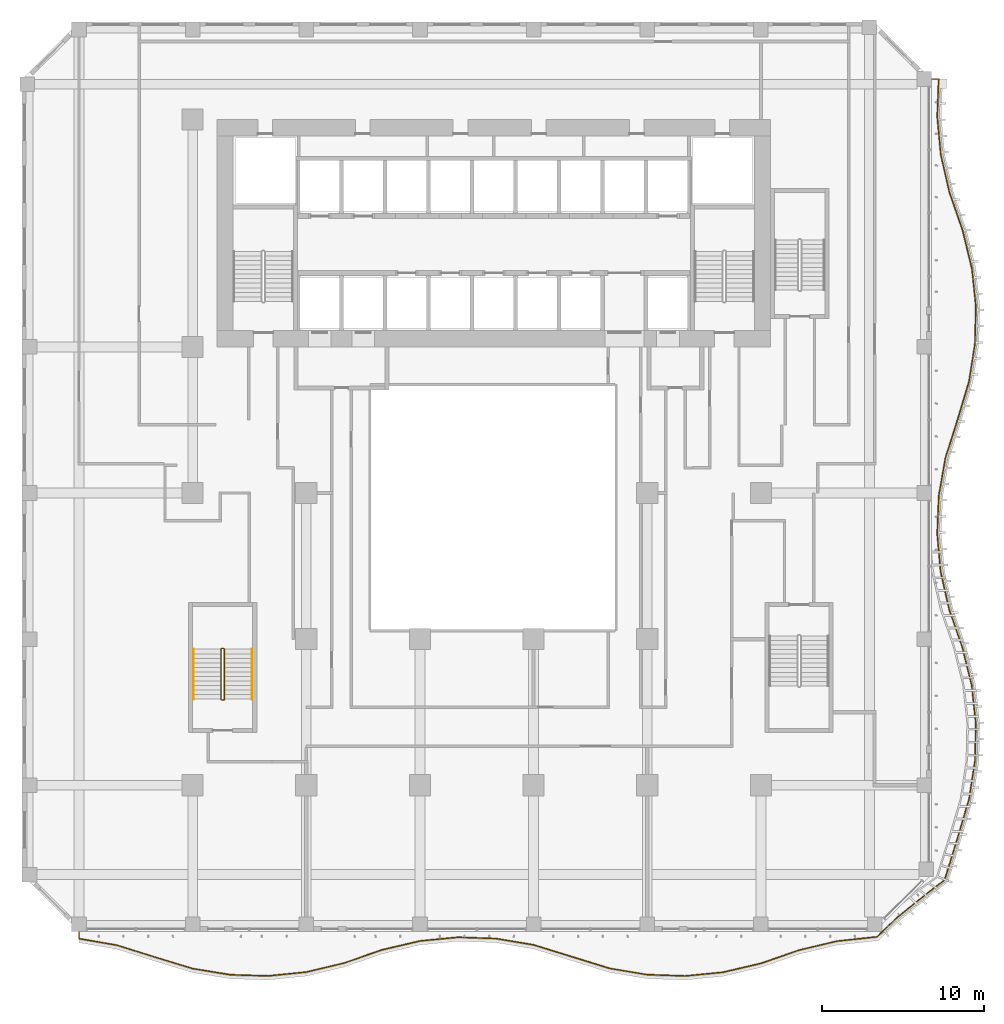
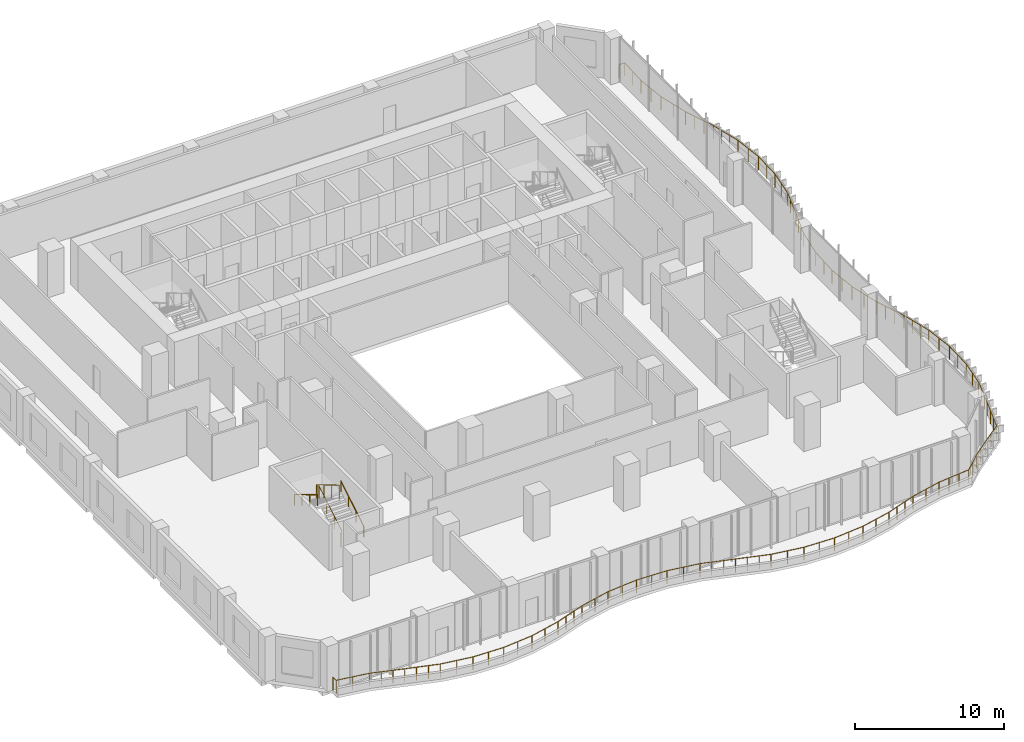
# One storey, part 20 of 27: 4 railings.
"""IFC4 building model written with IfcOpenShell, lengths in metres."""

from ifc_helpers import new_model, si_unit, direction, frame, origin, origin_2d, place, context, subcontext, project, spatial, circle, extrude, material, type_object, element, save


model = new_model("IFC4")

# Units and contexts
model_context = context("Model", 3, precision=1e-05, world=origin(), true_north=direction((0.0, 1.0)))
body_context = subcontext(model_context, "Body", "Model", "MODEL_VIEW")
ifc_project = project(units=[si_unit("LENGTHUNIT", "METRE"), si_unit("AREAUNIT", "SQUARE_METRE"), si_unit("VOLUMEUNIT", "CUBIC_METRE"), si_unit("PLANEANGLEUNIT", "RADIAN"), si_unit("MASSUNIT", "GRAM", prefix="KILO")], contexts=[model_context])

# Site, building, storey
site_placement = place(None, origin())
site = spatial("IfcSite", under=ifc_project, at=site_placement, CompositionType="ELEMENT")
building_placement = place(site_placement, origin())
building = spatial("IfcBuilding", under=site, at=building_placement, Name="Kilnfold Tower and Market Hall", CompositionType="ELEMENT")
storey_placement = place(building_placement, frame((0.0, 0.0, 43.0)))
storey = spatial("IfcBuildingStorey", under=building, at=storey_placement, Name="L09", CompositionType="ELEMENT", Elevation=43.0)

# Railings
ifc_material_1 = material(Name="Stainless steel 316", Category="steel")
railing_type_1 = type_object("IfcRailingType", Name="CORE STAIR GUARD 1100", PredefinedType="GUARDRAIL", material=ifc_material_1)
railing_1_placement = place(storey_placement, frame((-15.699951171875, -13.75, 0.0)))
element("IfcRailing", 1, at=railing_1_placement, inside=storey, type_object=railing_type_1, Name="L09 ST3 stair guard 1", PredefinedType="GUARDRAIL", context=body_context, shape_type="SweptSolid", body=[
    extrude(circle(Radius=0.02392578125, at=origin_2d()), frame((0.0, 0.0, 1.076171875), z_axis=(1.0, 0.0, 0.0), x_axis=(0.0, 1.0, 0.0)), (0.0, 0.0, 1.0), 0.099853515625),
    extrude(circle(Radius=0.02392578125, at=origin_2d()), frame((0.099853515625, 0.0, 1.076171875), z_axis=(0.27628659633, 0.27628659633, 0.920506074601), x_axis=(-0.707106781187, 0.707106781187, 0.0)), (0.0, 0.0, 1.0), 0.18115234375),
    extrude(circle(Radius=0.02392578125, at=origin_2d()), frame((0.14990234375, 0.050048828125, 1.24267578125), z_axis=(0.0, 0.859290745958, 0.51148745235), x_axis=(-1.0, 0.0, 0.0)), (0.0, 0.0, 1.0), 3.584228515625),
    extrude(circle(Radius=0.02392578125, at=origin_2d()), frame((0.14990234375, 3.1298828125, 3.076171875), z_axis=(-0.707106781187, 0.707106781187, 0.0), x_axis=(-0.707106781187, -0.707106781187, 0.0)), (0.0, 0.0, 1.0), 0.07080078125),
    extrude(circle(Radius=0.02392578125, at=origin_2d()), frame((0.099853515625, 3.179931640625, 3.076171875), z_axis=(-1.0, 0.0, 0.0), x_axis=(0.0, -1.0, 0.0)), (0.0, 0.0, 1.0), 0.099853515625),
    extrude(circle(Radius=0.02392578125, at=origin_2d()), frame((0.0, 3.179931640625, 3.076171875), z_axis=(-0.27628659633, -0.27628659633, 0.920506074601), x_axis=(0.707106781187, -0.707106781187, 0.0)), (0.0, 0.0, 1.0), 0.18115234375),
    extrude(circle(Radius=0.02392578125, at=origin_2d()), frame((-0.050048828125, 3.1298828125, 3.24267578125), z_axis=(0.0, -0.859290745958, 0.51148745235), x_axis=(1.0, 0.0, 0.0)), (0.0, 0.0, 1.0), 3.584228515625),
    extrude(circle(Radius=0.02099609375, at=origin_2d()), origin(), (0.0, 0.0, 1.0), 1.052001953125),
    extrude(circle(Radius=0.02099609375, at=origin_2d()), frame((0.099853515625, 0.0, 0.0)), (0.0, 0.0, 1.0), 1.052001953125),
    extrude(circle(Radius=0.02099609375, at=origin_2d()), frame((0.14990234375, 0.050048828125, 0.166748046875)), (0.0, 0.0, 1.0), 1.052001953125),
    extrude(circle(Radius=0.02099609375, at=origin_2d()), frame((0.14990234375, 1.07666015625, 0.77783203125)), (0.0, 0.0, 1.0), 1.052001953125),
    extrude(circle(Radius=0.02099609375, at=origin_2d()), frame((0.14990234375, 2.103271484375, 1.388916015625)), (0.0, 0.0, 1.0), 1.052001953125),
    extrude(circle(Radius=0.02099609375, at=origin_2d()), frame((0.14990234375, 3.1298828125, 2.0)), (0.0, 0.0, 1.0), 1.052001953125),
    extrude(circle(Radius=0.02099609375, at=origin_2d()), frame((0.099853515625, 3.179931640625, 2.0)), (0.0, 0.0, 1.0), 1.052001953125),
    extrude(circle(Radius=0.02099609375, at=origin_2d()), frame((0.0, 3.179931640625, 2.0)), (0.0, 0.0, 1.0), 1.052001953125),
    extrude(circle(Radius=0.02099609375, at=origin_2d()), frame((-0.050048828125, 3.1298828125, 2.166748046875)), (0.0, 0.0, 1.0), 1.052001953125),
    extrude(circle(Radius=0.02099609375, at=origin_2d()), frame((-0.050048828125, 2.103271484375, 2.77783203125)), (0.0, 0.0, 1.0), 1.052001953125),
    extrude(circle(Radius=0.02099609375, at=origin_2d()), frame((-0.050048828125, 1.07666015625, 3.388916015625)), (0.0, 0.0, 1.0), 1.052001953125),
    extrude(circle(Radius=0.02099609375, at=origin_2d()), frame((-0.050048828125, 0.050048828125, 4.0)), (0.0, 0.0, 1.0), 1.052001953125),
])
ifc_material_2 = material(Name="Stainless steel 316", Category="steel")
railing_type_2 = type_object("IfcRailingType", Name="CORE STAIR HANDRAIL 900", PredefinedType="HANDRAIL", material=ifc_material_2)
railing_2_placement = place(storey_placement, frame((-13.85009765625, -13.699951171875, 0.166748046875)))
element("IfcRailing", 2, at=railing_2_placement, inside=storey, type_object=railing_type_2, Name="L09 ST3 stair handrail 1", PredefinedType="HANDRAIL", context=body_context, shape_type="SweptSolid", body=[
    extrude(circle(Radius=0.02392578125, at=origin_2d()), frame((0.0, 0.0, 0.8759765625), z_axis=(0.0, 0.859290745958, 0.51148745235), x_axis=(-1.0, 0.0, 0.0)), (0.0, 0.0, 1.0), 3.584228515625),
    extrude(circle(Radius=0.02099609375, at=origin_2d()), origin(), (0.0, 0.0, 1.0), 0.851806640625),
    extrude(circle(Radius=0.02099609375, at=origin_2d()), frame((0.0, 1.026611328125, 0.611083984375)), (0.0, 0.0, 1.0), 0.851806640625),
    extrude(circle(Radius=0.02099609375, at=origin_2d()), frame((0.0, 2.05322265625, 1.22216796875)), (0.0, 0.0, 1.0), 0.851806640625),
    extrude(circle(Radius=0.02099609375, at=origin_2d()), frame((0.0, 3.079833984375, 1.833251953125)), (0.0, 0.0, 1.0), 0.851806640625),
])
railing_3_placement = place(storey_placement, frame((-17.449951171875, -10.6201171875, 2.166748046875)))
element("IfcRailing", 3, at=railing_3_placement, inside=storey, type_object=railing_type_2, Name="L09 ST3 stair handrail 2", PredefinedType="HANDRAIL", context=body_context, shape_type="SweptSolid", body=[
    extrude(circle(Radius=0.02392578125, at=origin_2d()), frame((0.0, 0.0, 0.8759765625), z_axis=(0.0, -0.859290745958, 0.51148745235), x_axis=(1.0, 0.0, 0.0)), (0.0, 0.0, 1.0), 3.584228515625),
    extrude(circle(Radius=0.02099609375, at=origin_2d()), origin(), (0.0, 0.0, 1.0), 0.851806640625),
    extrude(circle(Radius=0.02099609375, at=origin_2d()), frame((0.0, -1.026611328125, 0.611083984375)), (0.0, 0.0, 1.0), 0.851806640625),
    extrude(circle(Radius=0.02099609375, at=origin_2d()), frame((0.0, -2.05322265625, 1.22216796875)), (0.0, 0.0, 1.0), 0.851806640625),
    extrude(circle(Radius=0.02099609375, at=origin_2d()), frame((0.0, -3.079833984375, 1.833251953125)), (0.0, 0.0, 1.0), 0.851806640625),
])
ifc_material_3 = material(Name="Stainless steel and laminated glass", Category="steel")
railing_type_3 = type_object("IfcRailingType", Name="GUARD 1100", PredefinedType="GUARDRAIL", material=ifc_material_3)
railing_4_placement = place(storey_placement, frame((-24.5, -28.0, 0.0)))
element("IfcRailing", 4, at=railing_4_placement, inside=storey, type_object=railing_type_3, Name="Guard balcony L09", PredefinedType="GUARDRAIL", context=body_context, shape_type="SweptSolid", body=[
    extrude(circle(Radius=0.02490234375, at=origin_2d()), frame((0.0, 0.0, 1.0751953125), z_axis=(0.0, -1.0, 0.0), x_axis=(1.0, 0.0, 0.0)), (0.0, 0.0, 1.0), 0.44482421875),
    extrude(circle(Radius=0.02490234375, at=origin_2d()), frame((0.0, -0.44482421875, 1.0751953125), z_axis=(0.985662466739, -0.168729077701, 0.0), x_axis=(0.168729077701, 0.985662466739, 0.0)), (0.0, 0.0, 1.0), 2.3671875),
    extrude(circle(Radius=0.02490234375, at=origin_2d()), frame((2.333251953125, -0.84423828125, 1.0751953125), z_axis=(0.954049170843, -0.299650095299, 0.0), x_axis=(0.299650095299, 0.954049170843, 0.0)), (0.0, 0.0, 1.0), 2.44580078125),
    extrude(circle(Radius=0.02490234375, at=origin_2d()), frame((4.666748046875, -1.5771484375, 1.0751953125), z_axis=(0.956468807758, -0.291834576062, 0.0), x_axis=(0.291834576062, 0.956468807758, 0.0)), (0.0, 0.0, 1.0), 2.439453125),
    extrude(circle(Radius=0.02490234375, at=origin_2d()), frame((7.0, -2.2890625, 1.0751953125), z_axis=(0.986987456503, -0.160797265855, 0.0), x_axis=(0.160797265855, 0.986987456503, 0.0)), (0.0, 0.0, 1.0), 2.364013671875),
    extrude(circle(Radius=0.02490234375, at=origin_2d()), frame((9.333251953125, -2.669189453125, 1.0751953125), z_axis=(0.999555741048, -0.029804706654, 0.0), x_axis=(0.029804706654, 0.999555741048, 0.0)), (0.0, 0.0, 1.0), 2.33447265625),
    extrude(circle(Radius=0.02490234375, at=origin_2d()), frame((11.666748046875, -2.73876953125, 1.0751953125), z_axis=(0.994857287477, 0.101286610936, 0.0), x_axis=(-0.101286610936, 0.994857287477, 0.0)), (0.0, 0.0, 1.0), 2.34521484375),
    extrude(circle(Radius=0.02490234375, at=origin_2d()), frame((14.0, -2.501220703125, 1.0751953125), z_axis=(0.972656408, 0.232248814801, 0.0), x_axis=(-0.232248814801, 0.972656408, 0.0)), (0.0, 0.0, 1.0), 2.39892578125),
    extrude(circle(Radius=0.02490234375, at=origin_2d()), frame((16.333251953125, -1.944091796875, 1.0751953125), z_axis=(0.944696631746, 0.327945535063, 0.0), x_axis=(-0.327945535063, 0.944696631746, 0.0)), (0.0, 0.0, 1.0), 2.47021484375),
    extrude(circle(Radius=0.02490234375, at=origin_2d()), frame((18.666748046875, -1.134033203125, 1.0751953125), z_axis=(0.973591903786, 0.228295433335, 0.0), x_axis=(-0.228295433335, 0.973591903786, 0.0)), (0.0, 0.0, 1.0), 2.396484375),
    extrude(circle(Radius=0.02490234375, at=origin_2d()), frame((21.0, -0.5869140625, 1.0751953125), z_axis=(0.995258419276, 0.097266021095, 0.0), x_axis=(-0.097266021095, 0.995258419276, 0.0)), (0.0, 0.0, 1.0), 2.344482421875),
    extrude(circle(Radius=0.02490234375, at=origin_2d()), frame((23.333251953125, -0.35888671875, 1.0751953125), z_axis=(0.99942948218, -0.033774400789, 0.0), x_axis=(0.033774400789, 0.99942948218, 0.0)), (0.0, 0.0, 1.0), 2.334716796875),
    extrude(circle(Radius=0.02490234375, at=origin_2d()), frame((25.666748046875, -0.437744140625, 1.0751953125), z_axis=(0.986340874841, -0.164716965182, 0.0), x_axis=(0.164716965182, 0.986340874841, 0.0)), (0.0, 0.0, 1.0), 2.365478515625),
    extrude(circle(Radius=0.02490234375, at=origin_2d()), frame((28.0, -0.827392578125, 1.0751953125), z_axis=(0.955232771409, -0.29585528967, 0.0), x_axis=(0.29585528967, 0.955232771409, 0.0)), (0.0, 0.0, 1.0), 2.442626953125),
    extrude(circle(Radius=0.02490234375, at=origin_2d()), frame((30.333251953125, -1.550048828125, 1.0751953125), z_axis=(0.95526975751, -0.295735845624, 0.0), x_axis=(0.295735845624, 0.95526975751, 0.0)), (0.0, 0.0, 1.0), 2.44287109375),
    extrude(circle(Radius=0.02490234375, at=origin_2d()), frame((32.666748046875, -2.2724609375, 1.0751953125), z_axis=(0.986324102419, -0.164817368585, 0.0), x_axis=(0.164817368585, 0.986324102419, 0.0)), (0.0, 0.0, 1.0), 2.36572265625),
    extrude(circle(Radius=0.02490234375, at=origin_2d()), frame((35.0, -2.662353515625, 1.0751953125), z_axis=(0.99943288777, -0.033673473879, 0.0), x_axis=(0.033673473879, 0.99943288777, 0.0)), (0.0, 0.0, 1.0), 2.33447265625),
    extrude(circle(Radius=0.02490234375, at=origin_2d()), frame((37.333251953125, -2.740966796875, 1.0751953125), z_axis=(0.995259404351, 0.097255940957, 0.0), x_axis=(-0.097255940957, 0.995259404351, 0.0)), (0.0, 0.0, 1.0), 2.3447265625),
    extrude(circle(Radius=0.02490234375, at=origin_2d()), frame((39.666748046875, -2.512939453125, 1.0751953125), z_axis=(0.973614542293, 0.228198867295, 0.0), x_axis=(-0.228198867295, 0.973614542293, 0.0)), (0.0, 0.0, 1.0), 2.396484375),
    extrude(circle(Radius=0.02490234375, at=origin_2d()), frame((42.0, -1.966064453125, 1.0751953125), z_axis=(0.944686000367, 0.327976158754, 0.0), x_axis=(-0.327976158754, 0.944686000367, 0.0)), (0.0, 0.0, 1.0), 2.469970703125),
    extrude(circle(Radius=0.02490234375, at=origin_2d()), frame((44.333251953125, -1.156005859375, 1.0751953125), z_axis=(0.972661896838, 0.232225826385, 0.0), x_axis=(-0.232225826385, 0.972661896838, 0.0)), (0.0, 0.0, 1.0), 2.399169921875),
    extrude(circle(Radius=0.02490234375, at=origin_2d()), frame((46.666748046875, -0.598876953125, 1.0751953125), z_axis=(0.994294653047, 0.106668378268, 0.0), x_axis=(-0.106668378268, 0.994294653047, 0.0)), (0.0, 0.0, 1.0), 2.485595703125),
    extrude(circle(Radius=0.02490234375, at=origin_2d()), frame((49.13818359375, -0.333740234375, 1.0751953125), z_axis=(0.724692692066, 0.689072203812, 0.0), x_axis=(-0.689072203812, 0.724692692066, 0.0)), (0.0, 0.0, 1.0), 1.788818359375),
    extrude(circle(Radius=0.02490234375, at=origin_2d()), frame((50.4345703125, 0.89892578125, 1.0751953125), z_axis=(0.776267052284, 0.630404206472, 0.0), x_axis=(-0.630404206472, 0.776267052284, 0.0)), (0.0, 0.0, 1.0), 1.65869140625),
    extrude(circle(Radius=0.02490234375, at=origin_2d()), frame((51.72216796875, 1.944580078125, 1.0751953125), z_axis=(0.793520057084, 0.608544097831, 0.0), x_axis=(-0.608544097831, 0.793520057084, 0.0)), (0.0, 0.0, 1.0), 2.00341796875),
    extrude(circle(Radius=0.02490234375, at=origin_2d()), frame((53.31201171875, 3.163818359375, 1.0751953125), z_axis=(0.29318249773, 0.956056495729, 0.0), x_axis=(-0.956056495729, 0.29318249773, 0.0)), (0.0, 0.0, 1.0), 2.792236328125),
    extrude(circle(Radius=0.02490234375, at=origin_2d()), frame((54.130615234375, 5.833251953125, 1.0751953125), z_axis=(0.283811640994, 0.95888005112, 0.0), x_axis=(-0.95888005112, 0.283811640994, 0.0)), (0.0, 0.0, 1.0), 2.43359375),
    extrude(circle(Radius=0.02490234375, at=origin_2d()), frame((54.8212890625, 8.166748046875, 1.0751953125), z_axis=(0.152834177123, 0.988251847609, 0.0), x_axis=(-0.988251847609, 0.152834177123, 0.0)), (0.0, 0.0, 1.0), 2.361083984375),
    extrude(circle(Radius=0.02490234375, at=origin_2d()), frame((55.18212890625, 10.5, 1.0751953125), z_axis=(0.021758999158, 0.999763244951, 0.0), x_axis=(-0.999763244951, 0.021758999158, 0.0)), (0.0, 0.0, 1.0), 2.333740234375),
    extrude(circle(Radius=0.02490234375, at=origin_2d()), frame((55.23291015625, 12.833251953125, 1.0751953125), z_axis=(-0.109095915219, 0.994031227519, 0.0), x_axis=(-0.994031227519, -0.109095915219, 0.0)), (0.0, 0.0, 1.0), 2.347412109375),
    extrude(circle(Radius=0.02490234375, at=origin_2d()), frame((54.976806640625, 15.166748046875, 1.0751953125), z_axis=(-0.240216711375, 0.970719285672, 0.0), x_axis=(-0.970719285672, -0.240216711375, 0.0)), (0.0, 0.0, 1.0), 2.403564453125),
    extrude(circle(Radius=0.02490234375, at=origin_2d()), frame((54.3994140625, 17.5, 1.0751953125), z_axis=(-0.327270166885, 0.944930811153, 0.0), x_axis=(-0.944930811153, -0.327270166885, 0.0)), (0.0, 0.0, 1.0), 2.46923828125),
    extrude(circle(Radius=0.02490234375, at=origin_2d()), frame((53.59130859375, 19.833251953125, 1.0751953125), z_axis=(-0.220332914349, 0.975424731517, 0.0), x_axis=(-0.975424731517, -0.220332914349, 0.0)), (0.0, 0.0, 1.0), 2.392333984375),
    extrude(circle(Radius=0.02490234375, at=origin_2d()), frame((53.064208984375, 22.166748046875, 1.0751953125), z_axis=(-0.089314116006, 0.996003508368, 0.0), x_axis=(-0.996003508368, -0.089314116006, 0.0)), (0.0, 0.0, 1.0), 2.342529296875),
    extrude(circle(Radius=0.02490234375, at=origin_2d()), frame((52.85498046875, 24.5, 1.0751953125), z_axis=(0.041713165348, 0.999129627144, 0.0), x_axis=(-0.999129627144, 0.041713165348, 0.0)), (0.0, 0.0, 1.0), 2.335205078125),
    extrude(circle(Radius=0.02490234375, at=origin_2d()), frame((52.952392578125, 26.833251953125, 1.0751953125), z_axis=(0.172715287919, 0.984971791129, 0.0), x_axis=(-0.984971791129, 0.172715287919, 0.0)), (0.0, 0.0, 1.0), 2.369140625),
    extrude(circle(Radius=0.02490234375, at=origin_2d()), frame((53.361572265625, 29.166748046875, 1.0751953125), z_axis=(0.303216003995, 0.952921851424, 0.0), x_axis=(-0.952921851424, 0.303216003995, 0.0)), (0.0, 0.0, 1.0), 2.448486328125),
    extrude(circle(Radius=0.02490234375, at=origin_2d()), frame((54.10400390625, 31.5, 1.0751953125), z_axis=(0.287890235925, 0.957663412718, 0.0), x_axis=(-0.957663412718, 0.287890235925, 0.0)), (0.0, 0.0, 1.0), 2.436279296875),
    extrude(circle(Radius=0.02490234375, at=origin_2d()), frame((54.805419921875, 33.833251953125, 1.0751953125), z_axis=(0.156753145392, 0.987637813882, 0.0), x_axis=(-0.987637813882, 0.156753145392, 0.0)), (0.0, 0.0, 1.0), 2.36279296875),
    extrude(circle(Radius=0.02490234375, at=origin_2d()), frame((55.17578125, 36.166748046875, 1.0751953125), z_axis=(0.025836303044, 0.999666187007, 0.0), x_axis=(-0.999666187007, 0.025836303044, 0.0)), (0.0, 0.0, 1.0), 2.333984375),
    extrude(circle(Radius=0.02490234375, at=origin_2d()), frame((55.236083984375, 38.5, 1.0751953125), z_axis=(-0.105199342578, 0.994451154316, 0.0), x_axis=(-0.994451154316, -0.105199342578, 0.0)), (0.0, 0.0, 1.0), 2.34619140625),
    extrude(circle(Radius=0.02490234375, at=origin_2d()), frame((54.9892578125, 40.833251953125, 1.0751953125), z_axis=(-0.236263377293, 0.971689053427, 0.0), x_axis=(-0.971689053427, -0.236263377293, 0.0)), (0.0, 0.0, 1.0), 2.4013671875),
    extrude(circle(Radius=0.02490234375, at=origin_2d()), frame((54.421875, 43.166748046875, 1.0751953125), z_axis=(-0.327711476118, 0.94477785136, 0.0), x_axis=(-0.94477785136, -0.327711476118, 0.0)), (0.0, 0.0, 1.0), 2.4697265625),
    extrude(circle(Radius=0.02490234375, at=origin_2d()), frame((53.612548828125, 45.5, 1.0751953125), z_axis=(-0.224330726757, 0.974513070735, 0.0), x_axis=(-0.974513070735, -0.224330726757, 0.0)), (0.0, 0.0, 1.0), 2.394287109375),
    extrude(circle(Radius=0.02490234375, at=origin_2d()), frame((53.075439453125, 47.833251953125, 1.0751953125), z_axis=(-0.093230993166, 0.995644505792, 0.0), x_axis=(-0.995644505792, -0.093230993166, 0.0)), (0.0, 0.0, 1.0), 2.34375),
    extrude(circle(Radius=0.02490234375, at=origin_2d()), frame((52.85693359375, 50.166748046875, 1.0751953125), z_axis=(0.037642028208, 0.99929128772, 0.0), x_axis=(-0.99929128772, 0.037642028208, 0.0)), (0.0, 0.0, 1.0), 2.3349609375),
    extrude(circle(Radius=0.02490234375, at=origin_2d()), frame((52.94482421875, 52.5, 1.0751953125), z_axis=(-1.0, 0.0, 0.0), x_axis=(0.0, -1.0, 0.0)), (0.0, 0.0, 1.0), 0.44482421875),
    extrude(circle(Radius=0.02490234375, at=origin_2d()), origin(), (0.0, 0.0, 1.0), 1.050048828125),
    extrude(circle(Radius=0.02490234375, at=origin_2d()), frame((0.0, -0.44482421875, 0.0)), (0.0, 0.0, 1.0), 1.050048828125),
    extrude(circle(Radius=0.02490234375, at=origin_2d()), frame((1.16650390625, -0.64453125, 0.0)), (0.0, 0.0, 1.0), 1.050048828125),
    extrude(circle(Radius=0.02490234375, at=origin_2d()), frame((2.333251953125, -0.84423828125, 0.0)), (0.0, 0.0, 1.0), 1.050048828125),
    extrude(circle(Radius=0.02490234375, at=origin_2d()), frame((3.111083984375, -1.088623046875, 0.0)), (0.0, 0.0, 1.0), 1.050048828125),
    extrude(circle(Radius=0.02490234375, at=origin_2d()), frame((3.888916015625, -1.332763671875, 0.0)), (0.0, 0.0, 1.0), 1.050048828125),
    extrude(circle(Radius=0.02490234375, at=origin_2d()), frame((4.666748046875, -1.5771484375, 0.0)), (0.0, 0.0, 1.0), 1.050048828125),
    extrude(circle(Radius=0.02490234375, at=origin_2d()), frame((5.444580078125, -1.814453125, 0.0)), (0.0, 0.0, 1.0), 1.050048828125),
    extrude(circle(Radius=0.02490234375, at=origin_2d()), frame((6.22216796875, -2.0517578125, 0.0)), (0.0, 0.0, 1.0), 1.050048828125),
    extrude(circle(Radius=0.02490234375, at=origin_2d()), frame((7.0, -2.2890625, 0.0)), (0.0, 0.0, 1.0), 1.050048828125),
    extrude(circle(Radius=0.02490234375, at=origin_2d()), frame((8.16650390625, -2.47900390625, 0.0)), (0.0, 0.0, 1.0), 1.050048828125),
    extrude(circle(Radius=0.02490234375, at=origin_2d()), frame((9.333251953125, -2.669189453125, 0.0)), (0.0, 0.0, 1.0), 1.050048828125),
    extrude(circle(Radius=0.02490234375, at=origin_2d()), frame((10.5, -2.7041015625, 0.0)), (0.0, 0.0, 1.0), 1.050048828125),
    extrude(circle(Radius=0.02490234375, at=origin_2d()), frame((11.666748046875, -2.73876953125, 0.0)), (0.0, 0.0, 1.0), 1.050048828125),
    extrude(circle(Radius=0.02490234375, at=origin_2d()), frame((12.83349609375, -2.6201171875, 0.0)), (0.0, 0.0, 1.0), 1.050048828125),
    extrude(circle(Radius=0.02490234375, at=origin_2d()), frame((14.0, -2.501220703125, 0.0)), (0.0, 0.0, 1.0), 1.050048828125),
    extrude(circle(Radius=0.02490234375, at=origin_2d()), frame((15.16650390625, -2.22265625, 0.0)), (0.0, 0.0, 1.0), 1.050048828125),
    extrude(circle(Radius=0.02490234375, at=origin_2d()), frame((16.333251953125, -1.944091796875, 0.0)), (0.0, 0.0, 1.0), 1.050048828125),
    extrude(circle(Radius=0.02490234375, at=origin_2d()), frame((17.111083984375, -1.674072265625, 0.0)), (0.0, 0.0, 1.0), 1.050048828125),
    extrude(circle(Radius=0.02490234375, at=origin_2d()), frame((17.888916015625, -1.404052734375, 0.0)), (0.0, 0.0, 1.0), 1.050048828125),
    extrude(circle(Radius=0.02490234375, at=origin_2d()), frame((18.666748046875, -1.134033203125, 0.0)), (0.0, 0.0, 1.0), 1.050048828125),
    extrude(circle(Radius=0.02490234375, at=origin_2d()), frame((19.83349609375, -0.8603515625, 0.0)), (0.0, 0.0, 1.0), 1.050048828125),
    extrude(circle(Radius=0.02490234375, at=origin_2d()), frame((21.0, -0.5869140625, 0.0)), (0.0, 0.0, 1.0), 1.050048828125),
    extrude(circle(Radius=0.02490234375, at=origin_2d()), frame((22.16650390625, -0.472900390625, 0.0)), (0.0, 0.0, 1.0), 1.050048828125),
    extrude(circle(Radius=0.02490234375, at=origin_2d()), frame((23.333251953125, -0.35888671875, 0.0)), (0.0, 0.0, 1.0), 1.050048828125),
    extrude(circle(Radius=0.02490234375, at=origin_2d()), frame((24.5, -0.3984375, 0.0)), (0.0, 0.0, 1.0), 1.050048828125),
    extrude(circle(Radius=0.02490234375, at=origin_2d()), frame((25.666748046875, -0.437744140625, 0.0)), (0.0, 0.0, 1.0), 1.050048828125),
    extrude(circle(Radius=0.02490234375, at=origin_2d()), frame((26.83349609375, -0.632568359375, 0.0)), (0.0, 0.0, 1.0), 1.050048828125),
    extrude(circle(Radius=0.02490234375, at=origin_2d()), frame((28.0, -0.827392578125, 0.0)), (0.0, 0.0, 1.0), 1.050048828125),
    extrude(circle(Radius=0.02490234375, at=origin_2d()), frame((28.77783203125, -1.068359375, 0.0)), (0.0, 0.0, 1.0), 1.050048828125),
    extrude(circle(Radius=0.02490234375, at=origin_2d()), frame((29.555419921875, -1.30908203125, 0.0)), (0.0, 0.0, 1.0), 1.050048828125),
    extrude(circle(Radius=0.02490234375, at=origin_2d()), frame((30.333251953125, -1.550048828125, 0.0)), (0.0, 0.0, 1.0), 1.050048828125),
    extrude(circle(Radius=0.02490234375, at=origin_2d()), frame((31.111083984375, -1.790771484375, 0.0)), (0.0, 0.0, 1.0), 1.050048828125),
    extrude(circle(Radius=0.02490234375, at=origin_2d()), frame((31.888916015625, -2.03173828125, 0.0)), (0.0, 0.0, 1.0), 1.050048828125),
    extrude(circle(Radius=0.02490234375, at=origin_2d()), frame((32.666748046875, -2.2724609375, 0.0)), (0.0, 0.0, 1.0), 1.050048828125),
    extrude(circle(Radius=0.02490234375, at=origin_2d()), frame((33.83349609375, -2.46728515625, 0.0)), (0.0, 0.0, 1.0), 1.050048828125),
    extrude(circle(Radius=0.02490234375, at=origin_2d()), frame((35.0, -2.662353515625, 0.0)), (0.0, 0.0, 1.0), 1.050048828125),
    extrude(circle(Radius=0.02490234375, at=origin_2d()), frame((36.16650390625, -2.70166015625, 0.0)), (0.0, 0.0, 1.0), 1.050048828125),
    extrude(circle(Radius=0.02490234375, at=origin_2d()), frame((37.333251953125, -2.740966796875, 0.0)), (0.0, 0.0, 1.0), 1.050048828125),
    extrude(circle(Radius=0.02490234375, at=origin_2d()), frame((38.5, -2.626953125, 0.0)), (0.0, 0.0, 1.0), 1.050048828125),
    extrude(circle(Radius=0.02490234375, at=origin_2d()), frame((39.666748046875, -2.512939453125, 0.0)), (0.0, 0.0, 1.0), 1.050048828125),
    extrude(circle(Radius=0.02490234375, at=origin_2d()), frame((40.83349609375, -2.239501953125, 0.0)), (0.0, 0.0, 1.0), 1.050048828125),
    extrude(circle(Radius=0.02490234375, at=origin_2d()), frame((42.0, -1.966064453125, 0.0)), (0.0, 0.0, 1.0), 1.050048828125),
    extrude(circle(Radius=0.02490234375, at=origin_2d()), frame((42.77783203125, -1.696044921875, 0.0)), (0.0, 0.0, 1.0), 1.050048828125),
    extrude(circle(Radius=0.02490234375, at=origin_2d()), frame((43.555419921875, -1.426025390625, 0.0)), (0.0, 0.0, 1.0), 1.050048828125),
    extrude(circle(Radius=0.02490234375, at=origin_2d()), frame((44.333251953125, -1.156005859375, 0.0)), (0.0, 0.0, 1.0), 1.050048828125),
    extrude(circle(Radius=0.02490234375, at=origin_2d()), frame((45.5, -0.87744140625, 0.0)), (0.0, 0.0, 1.0), 1.050048828125),
    extrude(circle(Radius=0.02490234375, at=origin_2d()), frame((46.666748046875, -0.598876953125, 0.0)), (0.0, 0.0, 1.0), 1.050048828125),
    extrude(circle(Radius=0.02490234375, at=origin_2d()), frame((47.490478515625, -0.510498046875, 0.0)), (0.0, 0.0, 1.0), 1.050048828125),
    extrude(circle(Radius=0.02490234375, at=origin_2d()), frame((48.314453125, -0.422119140625, 0.0)), (0.0, 0.0, 1.0), 1.050048828125),
    extrude(circle(Radius=0.02490234375, at=origin_2d()), frame((49.13818359375, -0.333740234375, 0.0)), (0.0, 0.0, 1.0), 1.050048828125),
    extrude(circle(Radius=0.02490234375, at=origin_2d()), frame((49.786376953125, 0.28271484375, 0.0)), (0.0, 0.0, 1.0), 1.050048828125),
    extrude(circle(Radius=0.02490234375, at=origin_2d()), frame((50.4345703125, 0.89892578125, 0.0)), (0.0, 0.0, 1.0), 1.050048828125),
    extrude(circle(Radius=0.02490234375, at=origin_2d()), frame((51.078369140625, 1.421875, 0.0)), (0.0, 0.0, 1.0), 1.050048828125),
    extrude(circle(Radius=0.02490234375, at=origin_2d()), frame((51.72216796875, 1.944580078125, 0.0)), (0.0, 0.0, 1.0), 1.050048828125),
    extrude(circle(Radius=0.02490234375, at=origin_2d()), frame((52.51708984375, 2.55419921875, 0.0)), (0.0, 0.0, 1.0), 1.050048828125),
    extrude(circle(Radius=0.02490234375, at=origin_2d()), frame((53.31201171875, 3.163818359375, 0.0)), (0.0, 0.0, 1.0), 1.050048828125),
    extrude(circle(Radius=0.02490234375, at=origin_2d()), frame((53.5849609375, 4.0537109375, 0.0)), (0.0, 0.0, 1.0), 1.050048828125),
    extrude(circle(Radius=0.02490234375, at=origin_2d()), frame((53.857666015625, 4.943359375, 0.0)), (0.0, 0.0, 1.0), 1.050048828125),
    extrude(circle(Radius=0.02490234375, at=origin_2d()), frame((54.130615234375, 5.833251953125, 0.0)), (0.0, 0.0, 1.0), 1.050048828125),
    extrude(circle(Radius=0.02490234375, at=origin_2d()), frame((54.36083984375, 6.611083984375, 0.0)), (0.0, 0.0, 1.0), 1.050048828125),
    extrude(circle(Radius=0.02490234375, at=origin_2d()), frame((54.591064453125, 7.388916015625, 0.0)), (0.0, 0.0, 1.0), 1.050048828125),
    extrude(circle(Radius=0.02490234375, at=origin_2d()), frame((54.8212890625, 8.166748046875, 0.0)), (0.0, 0.0, 1.0), 1.050048828125),
    extrude(circle(Radius=0.02490234375, at=origin_2d()), frame((55.001708984375, 9.33349609375, 0.0)), (0.0, 0.0, 1.0), 1.050048828125),
    extrude(circle(Radius=0.02490234375, at=origin_2d()), frame((55.18212890625, 10.5, 0.0)), (0.0, 0.0, 1.0), 1.050048828125),
    extrude(circle(Radius=0.02490234375, at=origin_2d()), frame((55.20751953125, 11.66650390625, 0.0)), (0.0, 0.0, 1.0), 1.050048828125),
    extrude(circle(Radius=0.02490234375, at=origin_2d()), frame((55.23291015625, 12.833251953125, 0.0)), (0.0, 0.0, 1.0), 1.050048828125),
    extrude(circle(Radius=0.02490234375, at=origin_2d()), frame((55.10498046875, 14.0, 0.0)), (0.0, 0.0, 1.0), 1.050048828125),
    extrude(circle(Radius=0.02490234375, at=origin_2d()), frame((54.976806640625, 15.166748046875, 0.0)), (0.0, 0.0, 1.0), 1.050048828125),
    extrude(circle(Radius=0.02490234375, at=origin_2d()), frame((54.784423828125, 15.944580078125, 0.0)), (0.0, 0.0, 1.0), 1.050048828125),
    extrude(circle(Radius=0.02490234375, at=origin_2d()), frame((54.591796875, 16.72216796875, 0.0)), (0.0, 0.0, 1.0), 1.050048828125),
    extrude(circle(Radius=0.02490234375, at=origin_2d()), frame((54.3994140625, 17.5, 0.0)), (0.0, 0.0, 1.0), 1.050048828125),
    extrude(circle(Radius=0.02490234375, at=origin_2d()), frame((54.130126953125, 18.27783203125, 0.0)), (0.0, 0.0, 1.0), 1.050048828125),
    extrude(circle(Radius=0.02490234375, at=origin_2d()), frame((53.860595703125, 19.055419921875, 0.0)), (0.0, 0.0, 1.0), 1.050048828125),
    extrude(circle(Radius=0.02490234375, at=origin_2d()), frame((53.59130859375, 19.833251953125, 0.0)), (0.0, 0.0, 1.0), 1.050048828125),
    extrude(circle(Radius=0.02490234375, at=origin_2d()), frame((53.32763671875, 21.0, 0.0)), (0.0, 0.0, 1.0), 1.050048828125),
    extrude(circle(Radius=0.02490234375, at=origin_2d()), frame((53.064208984375, 22.166748046875, 0.0)), (0.0, 0.0, 1.0), 1.050048828125),
    extrude(circle(Radius=0.02490234375, at=origin_2d()), frame((52.95947265625, 23.33349609375, 0.0)), (0.0, 0.0, 1.0), 1.050048828125),
    extrude(circle(Radius=0.02490234375, at=origin_2d()), frame((52.85498046875, 24.5, 0.0)), (0.0, 0.0, 1.0), 1.050048828125),
    extrude(circle(Radius=0.02490234375, at=origin_2d()), frame((52.90380859375, 25.66650390625, 0.0)), (0.0, 0.0, 1.0), 1.050048828125),
    extrude(circle(Radius=0.02490234375, at=origin_2d()), frame((52.952392578125, 26.833251953125, 0.0)), (0.0, 0.0, 1.0), 1.050048828125),
    extrude(circle(Radius=0.02490234375, at=origin_2d()), frame((53.156982421875, 28.0, 0.0)), (0.0, 0.0, 1.0), 1.050048828125),
    extrude(circle(Radius=0.02490234375, at=origin_2d()), frame((53.361572265625, 29.166748046875, 0.0)), (0.0, 0.0, 1.0), 1.050048828125),
    extrude(circle(Radius=0.02490234375, at=origin_2d()), frame((53.609130859375, 29.944580078125, 0.0)), (0.0, 0.0, 1.0), 1.050048828125),
    extrude(circle(Radius=0.02490234375, at=origin_2d()), frame((53.8564453125, 30.72216796875, 0.0)), (0.0, 0.0, 1.0), 1.050048828125),
    extrude(circle(Radius=0.02490234375, at=origin_2d()), frame((54.10400390625, 31.5, 0.0)), (0.0, 0.0, 1.0), 1.050048828125),
    extrude(circle(Radius=0.02490234375, at=origin_2d()), frame((54.337890625, 32.27783203125, 0.0)), (0.0, 0.0, 1.0), 1.050048828125),
    extrude(circle(Radius=0.02490234375, at=origin_2d()), frame((54.571533203125, 33.055419921875, 0.0)), (0.0, 0.0, 1.0), 1.050048828125),
    extrude(circle(Radius=0.02490234375, at=origin_2d()), frame((54.805419921875, 33.833251953125, 0.0)), (0.0, 0.0, 1.0), 1.050048828125),
    extrude(circle(Radius=0.02490234375, at=origin_2d()), frame((54.99072265625, 35.0, 0.0)), (0.0, 0.0, 1.0), 1.050048828125),
    extrude(circle(Radius=0.02490234375, at=origin_2d()), frame((55.17578125, 36.166748046875, 0.0)), (0.0, 0.0, 1.0), 1.050048828125),
    extrude(circle(Radius=0.02490234375, at=origin_2d()), frame((55.2060546875, 37.33349609375, 0.0)), (0.0, 0.0, 1.0), 1.050048828125),
    extrude(circle(Radius=0.02490234375, at=origin_2d()), frame((55.236083984375, 38.5, 0.0)), (0.0, 0.0, 1.0), 1.050048828125),
    extrude(circle(Radius=0.02490234375, at=origin_2d()), frame((55.11279296875, 39.66650390625, 0.0)), (0.0, 0.0, 1.0), 1.050048828125),
    extrude(circle(Radius=0.02490234375, at=origin_2d()), frame((54.9892578125, 40.833251953125, 0.0)), (0.0, 0.0, 1.0), 1.050048828125),
    extrude(circle(Radius=0.02490234375, at=origin_2d()), frame((54.800048828125, 41.611083984375, 0.0)), (0.0, 0.0, 1.0), 1.050048828125),
    extrude(circle(Radius=0.02490234375, at=origin_2d()), frame((54.611083984375, 42.388916015625, 0.0)), (0.0, 0.0, 1.0), 1.050048828125),
    extrude(circle(Radius=0.02490234375, at=origin_2d()), frame((54.421875, 43.166748046875, 0.0)), (0.0, 0.0, 1.0), 1.050048828125),
    extrude(circle(Radius=0.02490234375, at=origin_2d()), frame((54.152099609375, 43.944580078125, 0.0)), (0.0, 0.0, 1.0), 1.050048828125),
    extrude(circle(Radius=0.02490234375, at=origin_2d()), frame((53.88232421875, 44.72216796875, 0.0)), (0.0, 0.0, 1.0), 1.050048828125),
    extrude(circle(Radius=0.02490234375, at=origin_2d()), frame((53.612548828125, 45.5, 0.0)), (0.0, 0.0, 1.0), 1.050048828125),
    extrude(circle(Radius=0.02490234375, at=origin_2d()), frame((53.343994140625, 46.66650390625, 0.0)), (0.0, 0.0, 1.0), 1.050048828125),
    extrude(circle(Radius=0.02490234375, at=origin_2d()), frame((53.075439453125, 47.833251953125, 0.0)), (0.0, 0.0, 1.0), 1.050048828125),
    extrude(circle(Radius=0.02490234375, at=origin_2d()), frame((52.96630859375, 49.0, 0.0)), (0.0, 0.0, 1.0), 1.050048828125),
    extrude(circle(Radius=0.02490234375, at=origin_2d()), frame((52.85693359375, 50.166748046875, 0.0)), (0.0, 0.0, 1.0), 1.050048828125),
    extrude(circle(Radius=0.02490234375, at=origin_2d()), frame((52.90087890625, 51.33349609375, 0.0)), (0.0, 0.0, 1.0), 1.050048828125),
    extrude(circle(Radius=0.02490234375, at=origin_2d()), frame((52.94482421875, 52.5, 0.0)), (0.0, 0.0, 1.0), 1.050048828125),
    extrude(circle(Radius=0.02490234375, at=origin_2d()), frame((52.5, 52.5, 0.0)), (0.0, 0.0, 1.0), 1.050048828125),
])

save(model, "model.ifc")
